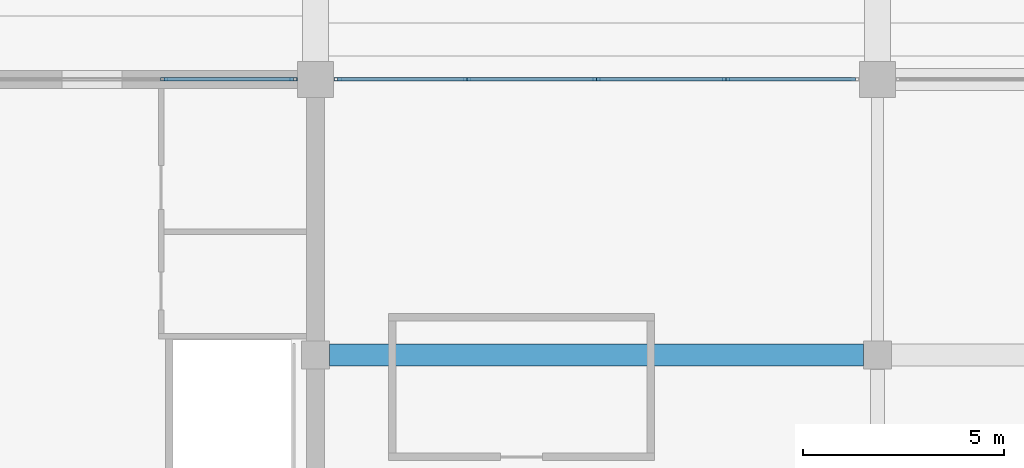
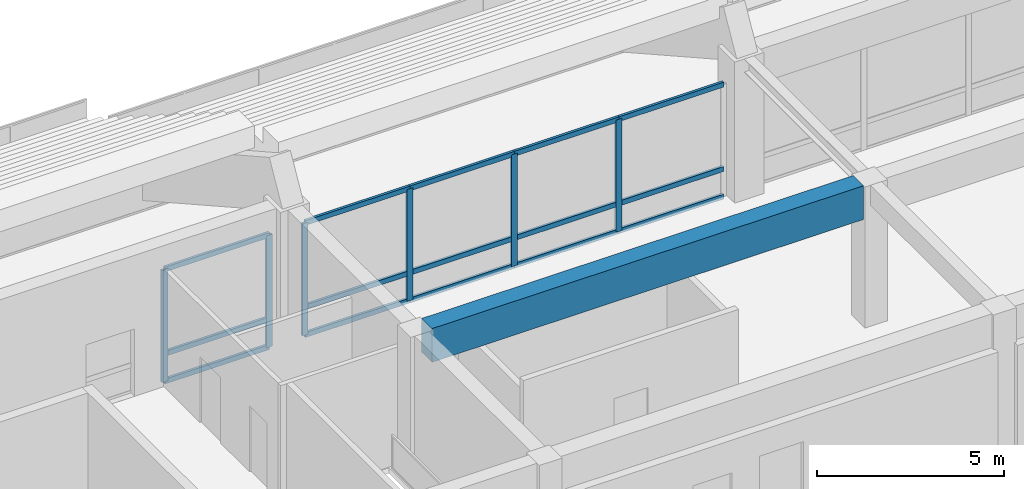
# One storey, part 20 of 94: 21 members, 1 beam, 2 elements without a shape of their own.
"""IFC4 building model written with IfcOpenShell, lengths in metres."""

from ifc_helpers import new_model, si_unit, direction, frame, origin, origin_2d, place, context, subcontext, project, spatial, rectangle, hollow_rectangle, extrude, material, material_profile, profile_set, type_object, element, aggregate, save


model = new_model("IFC4")

# Units and contexts
model_context = context("Model", 3, precision=1e-05, world=origin(), true_north=direction((0.0, 1.0)))
body_context = subcontext(model_context, "Body", "Model", "MODEL_VIEW")
ifc_project = project(units=[si_unit("LENGTHUNIT", "METRE"), si_unit("AREAUNIT", "SQUARE_METRE"), si_unit("VOLUMEUNIT", "CUBIC_METRE"), si_unit("PLANEANGLEUNIT", "RADIAN"), si_unit("MASSUNIT", "GRAM", prefix="KILO")], contexts=[model_context])

# Site, building, storey
site_placement = place(None, origin())
site = spatial("IfcSite", under=ifc_project, at=site_placement, CompositionType="ELEMENT")
building_placement = place(site_placement, origin())
building = spatial("IfcBuilding", under=site, at=building_placement, Name="Linyun Crest Stadium", CompositionType="ELEMENT")
storey_placement = place(building_placement, frame((0.0, 0.0, 16.199951171875)))
storey = spatial("IfcBuildingStorey", under=building, at=storey_placement, Name="L04", CompositionType="ELEMENT", Elevation=16.199951171875)

# Curtain wall, members
ifc_material_1 = material(Name="Verdigris steel and low-E curtain wall assembly", Category="steel")
curtain_wall_type = type_object("IfcCurtainWallType", Name="MCW01", PredefinedType="NOTDEFINED", material=ifc_material_1)
curtain_wall_1_placement = place(storey_placement, origin())
curtain_wall_1 = element("IfcCurtainWall", 1, at=curtain_wall_1_placement, inside=storey, type_object=curtain_wall_type, Name="CWR-133", PredefinedType="NOTDEFINED")
ifc_material_2 = material(Name="Verdigris painted steel Q355B mullion", Category="steel")
ifc_material_profile_1 = material_profile(ifc_material_2, hollow_rectangle(XDim=0.080078125, YDim=0.179931640625, WallThickness=0.006103515625, at=origin_2d()), Name="RHS 180x80x6")
ifc_profile_set_1 = profile_set([ifc_material_profile_1], Name="Verdigris painted steel Q355B mullion")
member_type_1 = type_object("IfcMemberType", Name="ML02", PredefinedType="MULLION", material=ifc_profile_set_1)
member_1_placement = place(storey_placement, frame((-17.77490234375, -73.5, 0.0), z_axis=(0.0, 0.0, 1.0), x_axis=(0.0, 1.0, 0.0)))
member_1 = element("IfcMember", 2, at=member_1_placement, type_object=member_type_1, Name="CWR-133 mullion 4", PredefinedType="MULLION", context=body_context, shape_type="SweptSolid", body=[
    extrude(hollow_rectangle(XDim=0.080078125, YDim=0.179931640625, WallThickness=0.006103515625, at=origin_2d()), origin(), (0.0, 0.0, 1.0), 3.650146484375),
])
member_2_placement = place(storey_placement, frame((-14.550048828125, -73.5, 0.0), z_axis=(0.0, 0.0, 1.0), x_axis=(0.0, 1.0, 0.0)))
member_2 = element("IfcMember", 3, at=member_2_placement, type_object=member_type_1, Name="CWR-133 mullion 5", PredefinedType="MULLION", context=body_context, shape_type="SweptSolid", body=[
    extrude(hollow_rectangle(XDim=0.080078125, YDim=0.179931640625, WallThickness=0.006103515625, at=origin_2d()), origin(), (0.0, 0.0, 1.0), 3.650146484375),
])

curtain_wall_2_placement = place(storey_placement, origin())
curtain_wall_2 = element("IfcCurtainWall", 4, at=curtain_wall_2_placement, inside=storey, type_object=curtain_wall_type, Name="CWR-140", PredefinedType="NOTDEFINED")
member_3_placement = place(storey_placement, frame((-13.449951171875, -73.5, 0.0), z_axis=(0.0, 0.0, 1.0), x_axis=(0.0, 1.0, 0.0)))
member_3 = element("IfcMember", 5, at=member_3_placement, type_object=member_type_1, Name="CWR-140 mullion 1", PredefinedType="MULLION", context=body_context, shape_type="SweptSolid", body=[
    extrude(hollow_rectangle(XDim=0.080078125, YDim=0.179931640625, WallThickness=0.006103515625, at=origin_2d()), origin(), (0.0, 0.0, 1.0), 3.650146484375),
])
member_4_placement = place(storey_placement, frame((-10.22509765625, -73.5, 0.0), z_axis=(0.0, 0.0, 1.0), x_axis=(0.0, 1.0, 0.0)))
member_4 = element("IfcMember", 6, at=member_4_placement, type_object=member_type_1, Name="CWR-140 mullion 2", PredefinedType="MULLION", context=body_context, shape_type="SweptSolid", body=[
    extrude(hollow_rectangle(XDim=0.080078125, YDim=0.179931640625, WallThickness=0.006103515625, at=origin_2d()), origin(), (0.0, 0.0, 1.0), 3.650146484375),
])
member_5_placement = place(storey_placement, frame((-7.0, -73.5, 0.0), z_axis=(0.0, 0.0, 1.0), x_axis=(0.0, 1.0, 0.0)))
member_5 = element("IfcMember", 7, at=member_5_placement, type_object=member_type_1, Name="CWR-140 mullion 3", PredefinedType="MULLION", context=body_context, shape_type="SweptSolid", body=[
    extrude(hollow_rectangle(XDim=0.080078125, YDim=0.179931640625, WallThickness=0.006103515625, at=origin_2d()), origin(), (0.0, 0.0, 1.0), 3.650146484375),
])
member_6_placement = place(storey_placement, frame((-3.77490234375, -73.5, 0.0), z_axis=(0.0, 0.0, 1.0), x_axis=(0.0, 1.0, 0.0)))
member_6 = element("IfcMember", 8, at=member_6_placement, type_object=member_type_1, Name="CWR-140 mullion 4", PredefinedType="MULLION", context=body_context, shape_type="SweptSolid", body=[
    extrude(hollow_rectangle(XDim=0.080078125, YDim=0.179931640625, WallThickness=0.006103515625, at=origin_2d()), origin(), (0.0, 0.0, 1.0), 3.650146484375),
])

# Beam
ifc_material_3 = material(Name="Concrete C50", Category="concrete")
ifc_material_profile_2 = material_profile(ifc_material_3, rectangle(XDim=0.550048828125, YDim=1.10009765625, at=origin_2d()), Name="RCB 1100x550")
ifc_profile_set_2 = profile_set([ifc_material_profile_2], Name="Concrete C50")
beam_type = type_object("IfcBeamType", Name="TB01", PredefinedType="USERDEFINED", material=ifc_profile_set_2)
beam_placement = place(storey_placement, frame((-13.64990234375, -80.375, 4.045166015625), z_axis=(1.0, 0.0, 0.0), x_axis=(0.0, 1.0, 0.0)))
element("IfcBeam", 9, at=beam_placement, inside=storey, type_object=beam_type, Name="Frame beam TB01 L04 942", ObjectType="GIRDER", PredefinedType="USERDEFINED", context=body_context, shape_type="SweptSolid", body=[
    extrude(rectangle(XDim=0.550048828125, YDim=1.10009765625, at=origin_2d()), origin(), (0.0, 0.0, 1.0), 13.2998046875),
])

# Member
ifc_material_4 = material(Name="Aluminium thermally broken transom", Category="aluminium")
ifc_material_profile_3 = material_profile(ifc_material_4, hollow_rectangle(XDim=0.080078125, YDim=0.159912109375, WallThickness=0.006103515625, at=origin_2d()), Name="RHS 160x80x6")
ifc_profile_set_3 = profile_set([ifc_material_profile_3], Name="Aluminium thermally broken transom")
member_type_2 = type_object("IfcMemberType", Name="TR01", PredefinedType="USERDEFINED", material=ifc_profile_set_3)
member_7_placement = place(storey_placement, frame((-17.77490234375, -73.5, 0.0), z_axis=(1.0, 0.0, 0.0), x_axis=(0.0, 1.0, 0.0)))
member_7 = element("IfcMember", 10, at=member_7_placement, type_object=member_type_2, Name="CWR-133 transom 4.1", ObjectType="TRANSOM", PredefinedType="USERDEFINED", context=body_context, shape_type="SweptSolid", body=[
    extrude(hollow_rectangle(XDim=0.080078125, YDim=0.159912109375, WallThickness=0.006103515625, at=origin_2d()), origin(), (0.0, 0.0, 1.0), 3.224853515625),
])

member_8_placement = place(storey_placement, frame((-17.77490234375, -73.5, 0.900146484375), z_axis=(1.0, 0.0, 0.0), x_axis=(0.0, 1.0, 0.0)))
member_8 = element("IfcMember", 11, at=member_8_placement, type_object=member_type_2, Name="CWR-133 transom 4.2", ObjectType="TRANSOM", PredefinedType="USERDEFINED", context=body_context, shape_type="SweptSolid", body=[
    extrude(hollow_rectangle(XDim=0.080078125, YDim=0.159912109375, WallThickness=0.006103515625, at=origin_2d()), origin(), (0.0, 0.0, 1.0), 3.224853515625),
])

member_9_placement = place(storey_placement, frame((-17.77490234375, -73.5, 3.650146484375), z_axis=(1.0, 0.0, 0.0), x_axis=(0.0, 1.0, 0.0)))
member_9 = element("IfcMember", 12, at=member_9_placement, type_object=member_type_2, Name="CWR-133 transom 4.3", ObjectType="TRANSOM", PredefinedType="USERDEFINED", context=body_context, shape_type="SweptSolid", body=[
    extrude(hollow_rectangle(XDim=0.080078125, YDim=0.159912109375, WallThickness=0.006103515625, at=origin_2d()), origin(), (0.0, 0.0, 1.0), 3.224853515625),
])

aggregate(curtain_wall_1, [member_1, member_2, member_7, member_8, member_9])

member_10_placement = place(storey_placement, frame((-13.449951171875, -73.5, 0.0), z_axis=(1.0, 0.0, 0.0), x_axis=(0.0, 1.0, 0.0)))
member_10 = element("IfcMember", 13, at=member_10_placement, type_object=member_type_2, Name="CWR-140 transom 1.1", ObjectType="TRANSOM", PredefinedType="USERDEFINED", context=body_context, shape_type="SweptSolid", body=[
    extrude(hollow_rectangle(XDim=0.080078125, YDim=0.159912109375, WallThickness=0.006103515625, at=origin_2d()), origin(), (0.0, 0.0, 1.0), 3.224853515625),
])

member_11_placement = place(storey_placement, frame((-13.449951171875, -73.5, 0.900146484375), z_axis=(1.0, 0.0, 0.0), x_axis=(0.0, 1.0, 0.0)))
member_11 = element("IfcMember", 14, at=member_11_placement, type_object=member_type_2, Name="CWR-140 transom 1.2", ObjectType="TRANSOM", PredefinedType="USERDEFINED", context=body_context, shape_type="SweptSolid", body=[
    extrude(hollow_rectangle(XDim=0.080078125, YDim=0.159912109375, WallThickness=0.006103515625, at=origin_2d()), origin(), (0.0, 0.0, 1.0), 3.224853515625),
])

member_12_placement = place(storey_placement, frame((-13.449951171875, -73.5, 3.650146484375), z_axis=(1.0, 0.0, 0.0), x_axis=(0.0, 1.0, 0.0)))
member_12 = element("IfcMember", 15, at=member_12_placement, type_object=member_type_2, Name="CWR-140 transom 1.3", ObjectType="TRANSOM", PredefinedType="USERDEFINED", context=body_context, shape_type="SweptSolid", body=[
    extrude(hollow_rectangle(XDim=0.080078125, YDim=0.159912109375, WallThickness=0.006103515625, at=origin_2d()), origin(), (0.0, 0.0, 1.0), 3.224853515625),
])

member_13_placement = place(storey_placement, frame((-10.22509765625, -73.5, 0.0), z_axis=(1.0, 0.0, 0.0), x_axis=(0.0, 1.0, 0.0)))
member_13 = element("IfcMember", 16, at=member_13_placement, type_object=member_type_2, Name="CWR-140 transom 2.1", ObjectType="TRANSOM", PredefinedType="USERDEFINED", context=body_context, shape_type="SweptSolid", body=[
    extrude(hollow_rectangle(XDim=0.080078125, YDim=0.159912109375, WallThickness=0.006103515625, at=origin_2d()), origin(), (0.0, 0.0, 1.0), 3.22509765625),
])

member_14_placement = place(storey_placement, frame((-10.22509765625, -73.5, 0.900146484375), z_axis=(1.0, 0.0, 0.0), x_axis=(0.0, 1.0, 0.0)))
member_14 = element("IfcMember", 17, at=member_14_placement, type_object=member_type_2, Name="CWR-140 transom 2.2", ObjectType="TRANSOM", PredefinedType="USERDEFINED", context=body_context, shape_type="SweptSolid", body=[
    extrude(hollow_rectangle(XDim=0.080078125, YDim=0.159912109375, WallThickness=0.006103515625, at=origin_2d()), origin(), (0.0, 0.0, 1.0), 3.22509765625),
])

member_15_placement = place(storey_placement, frame((-10.22509765625, -73.5, 3.650146484375), z_axis=(1.0, 0.0, 0.0), x_axis=(0.0, 1.0, 0.0)))
member_15 = element("IfcMember", 18, at=member_15_placement, type_object=member_type_2, Name="CWR-140 transom 2.3", ObjectType="TRANSOM", PredefinedType="USERDEFINED", context=body_context, shape_type="SweptSolid", body=[
    extrude(hollow_rectangle(XDim=0.080078125, YDim=0.159912109375, WallThickness=0.006103515625, at=origin_2d()), origin(), (0.0, 0.0, 1.0), 3.22509765625),
])

member_16_placement = place(storey_placement, frame((-7.0, -73.5, 0.0), z_axis=(1.0, 0.0, 0.0), x_axis=(0.0, 1.0, 0.0)))
member_16 = element("IfcMember", 19, at=member_16_placement, type_object=member_type_2, Name="CWR-140 transom 3.1", ObjectType="TRANSOM", PredefinedType="USERDEFINED", context=body_context, shape_type="SweptSolid", body=[
    extrude(hollow_rectangle(XDim=0.080078125, YDim=0.159912109375, WallThickness=0.006103515625, at=origin_2d()), origin(), (0.0, 0.0, 1.0), 3.22509765625),
])

member_17_placement = place(storey_placement, frame((-7.0, -73.5, 0.900146484375), z_axis=(1.0, 0.0, 0.0), x_axis=(0.0, 1.0, 0.0)))
member_17 = element("IfcMember", 20, at=member_17_placement, type_object=member_type_2, Name="CWR-140 transom 3.2", ObjectType="TRANSOM", PredefinedType="USERDEFINED", context=body_context, shape_type="SweptSolid", body=[
    extrude(hollow_rectangle(XDim=0.080078125, YDim=0.159912109375, WallThickness=0.006103515625, at=origin_2d()), origin(), (0.0, 0.0, 1.0), 3.22509765625),
])

member_18_placement = place(storey_placement, frame((-7.0, -73.5, 3.650146484375), z_axis=(1.0, 0.0, 0.0), x_axis=(0.0, 1.0, 0.0)))
member_18 = element("IfcMember", 21, at=member_18_placement, type_object=member_type_2, Name="CWR-140 transom 3.3", ObjectType="TRANSOM", PredefinedType="USERDEFINED", context=body_context, shape_type="SweptSolid", body=[
    extrude(hollow_rectangle(XDim=0.080078125, YDim=0.159912109375, WallThickness=0.006103515625, at=origin_2d()), origin(), (0.0, 0.0, 1.0), 3.22509765625),
])

member_19_placement = place(storey_placement, frame((-3.77490234375, -73.5, 0.0), z_axis=(1.0, 0.0, 0.0), x_axis=(0.0, 1.0, 0.0)))
member_19 = element("IfcMember", 22, at=member_19_placement, type_object=member_type_2, Name="CWR-140 transom 4.1", ObjectType="TRANSOM", PredefinedType="USERDEFINED", context=body_context, shape_type="SweptSolid", body=[
    extrude(hollow_rectangle(XDim=0.080078125, YDim=0.159912109375, WallThickness=0.006103515625, at=origin_2d()), origin(), (0.0, 0.0, 1.0), 3.224853515625),
])

member_20_placement = place(storey_placement, frame((-3.77490234375, -73.5, 0.900146484375), z_axis=(1.0, 0.0, 0.0), x_axis=(0.0, 1.0, 0.0)))
member_20 = element("IfcMember", 23, at=member_20_placement, type_object=member_type_2, Name="CWR-140 transom 4.2", ObjectType="TRANSOM", PredefinedType="USERDEFINED", context=body_context, shape_type="SweptSolid", body=[
    extrude(hollow_rectangle(XDim=0.080078125, YDim=0.159912109375, WallThickness=0.006103515625, at=origin_2d()), origin(), (0.0, 0.0, 1.0), 3.224853515625),
])

member_21_placement = place(storey_placement, frame((-3.77490234375, -73.5, 3.650146484375), z_axis=(1.0, 0.0, 0.0), x_axis=(0.0, 1.0, 0.0)))
member_21 = element("IfcMember", 24, at=member_21_placement, type_object=member_type_2, Name="CWR-140 transom 4.3", ObjectType="TRANSOM", PredefinedType="USERDEFINED", context=body_context, shape_type="SweptSolid", body=[
    extrude(hollow_rectangle(XDim=0.080078125, YDim=0.159912109375, WallThickness=0.006103515625, at=origin_2d()), origin(), (0.0, 0.0, 1.0), 3.224853515625),
])

aggregate(curtain_wall_2, [member_3, member_4, member_5, member_6, member_10, member_11, member_12, member_13, member_14, member_15, member_16, member_17, member_18, member_19, member_20, member_21])

save(model, "model.ifc")
